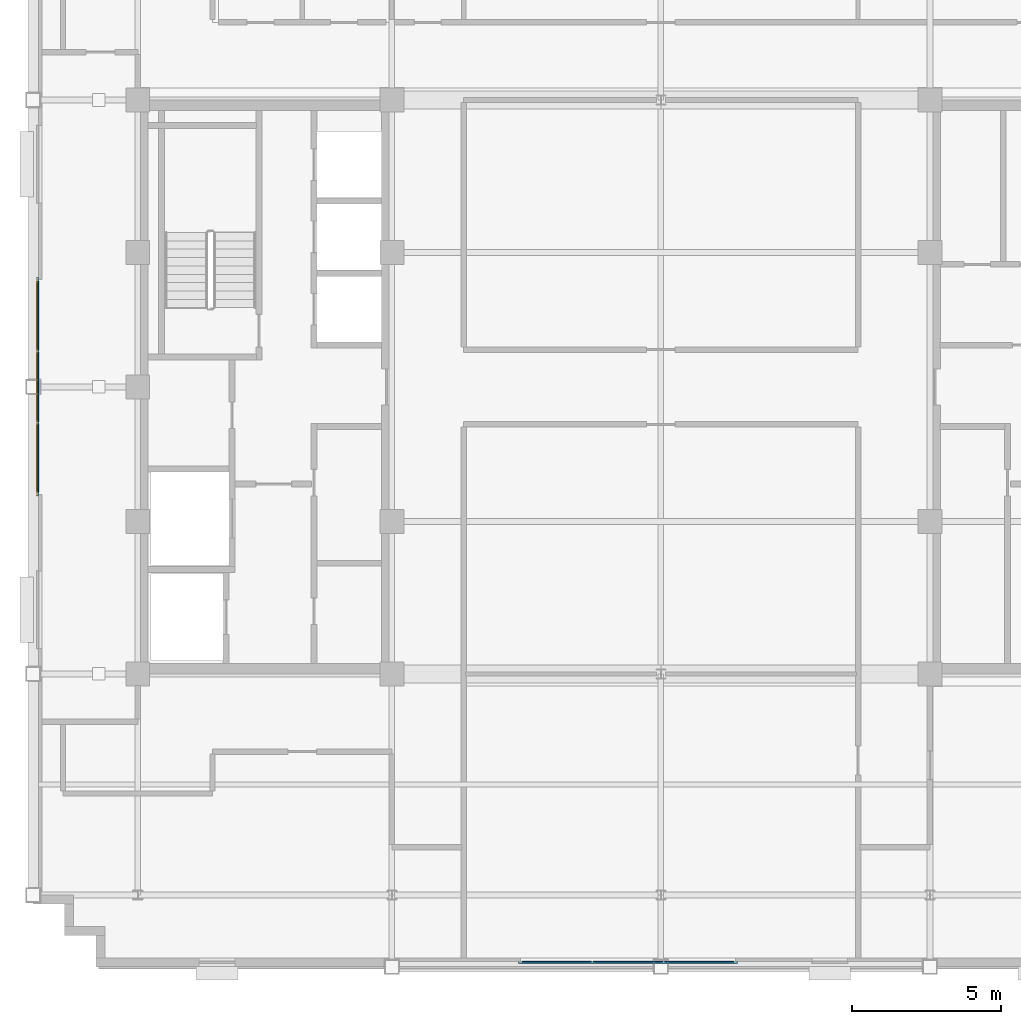
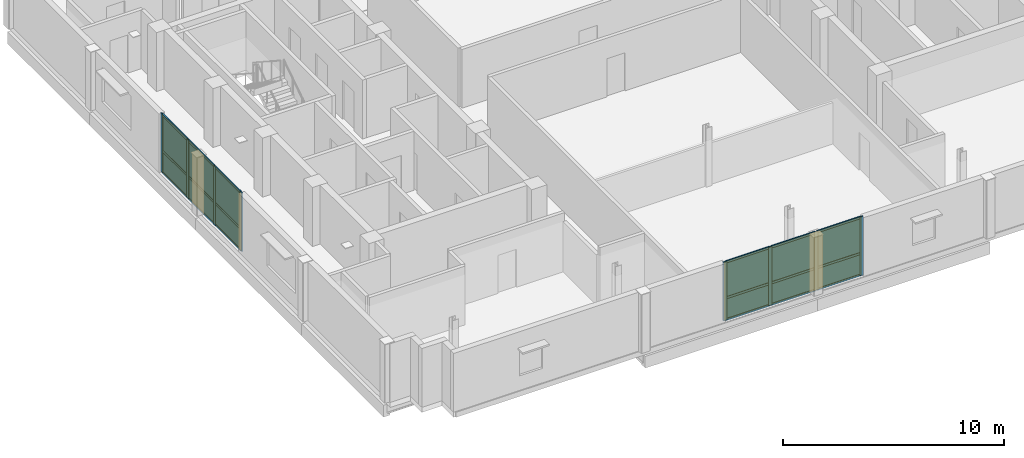
# One storey, part 9 of 15: 26 members, 12 plates, 2 curtain walls.
"""IFC4 building model written with IfcOpenShell, lengths in metres."""

from ifc_helpers import new_model, si_unit, direction, frame, frame_2d, origin, origin_2d, place, context, subcontext, project, spatial, rectangle, extrude, source, transform, mapped, material, layer, layer_set, material_profile, profile_set, type_object, type_shapes, element, aggregate, save


model = new_model("IFC4")

# Units and contexts
model_context = context("Model", 3, precision=1e-05, world=origin(), true_north=direction((0.0, 1.0)))
body_context = subcontext(model_context, "Body", "Model", "MODEL_VIEW")
ifc_project = project(units=[si_unit("LENGTHUNIT", "METRE"), si_unit("AREAUNIT", "SQUARE_METRE"), si_unit("VOLUMEUNIT", "CUBIC_METRE"), si_unit("PLANEANGLEUNIT", "RADIAN"), si_unit("MASSUNIT", "GRAM", prefix="KILO")], contexts=[model_context])

# Member
ifc_material_1 = material(Name="Anodised aluminium 6063-T6", Category="aluminium")
ifc_material_profile_1 = material_profile(ifc_material_1, rectangle(XDim=0.070068359375, YDim=0.179931640625, at=origin_2d()), Name="ALU-MULL-70x180")
ifc_profile_set_1 = profile_set([ifc_material_profile_1], Name="Anodised aluminium 6063-T6")
member_type_1 = type_object("IfcMemberType", Name="CWM-5", PredefinedType="MULLION", material=ifc_profile_set_1)
site_placement = place(None, origin())
building_placement = place(site_placement, origin())
storey_placement = place(building_placement, frame((0.0, 0.0, 283.5)))
member_1_placement = place(storey_placement, frame((-4.6650390625, -19.25, 0.0), z_axis=(0.0, 0.0, 1.0), x_axis=(0.0, 1.0, 0.0)))
member_1 = element("IfcMember", 1, at=member_1_placement, type_object=member_type_1, Name="CWS-5 mullion 1", PredefinedType="MULLION", context=body_context, shape_type="SweptSolid", body=[
    extrude(rectangle(XDim=0.070068359375, YDim=0.179931640625, at=origin_2d()), origin(), (0.0, 0.0, 1.0), 3.239990234375),
])

member_2_placement = place(storey_placement, frame((-2.300048828125, -19.25, 0.0), z_axis=(0.0, 0.0, 1.0), x_axis=(0.0, 1.0, 0.0)))
member_2 = element("IfcMember", 2, at=member_2_placement, type_object=member_type_1, Name="CWS-5 mullion 2", PredefinedType="MULLION", context=body_context, shape_type="SweptSolid", body=[
    extrude(rectangle(XDim=0.070068359375, YDim=0.179931640625, at=origin_2d()), origin(), (0.0, 0.0, 1.0), 3.239990234375),
])

member_3_placement = place(storey_placement, frame((0.10009765625, -19.25, 0.0), z_axis=(0.0, 0.0, 1.0), x_axis=(0.0, 1.0, 0.0)))
member_3 = element("IfcMember", 3, at=member_3_placement, type_object=member_type_1, Name="CWS-5 mullion 3", PredefinedType="MULLION", context=body_context, shape_type="SweptSolid", body=[
    extrude(rectangle(XDim=0.070068359375, YDim=0.179931640625, at=origin_2d()), origin(), (0.0, 0.0, 1.0), 3.239990234375),
])

member_4_placement = place(storey_placement, frame((2.465087890625, -19.25, 0.0), z_axis=(0.0, 0.0, 1.0), x_axis=(0.0, 1.0, 0.0)))
member_4 = element("IfcMember", 4, at=member_4_placement, type_object=member_type_1, Name="CWS-5 mullion 4", PredefinedType="MULLION", context=body_context, shape_type="SweptSolid", body=[
    extrude(rectangle(XDim=0.070068359375, YDim=0.179931640625, at=origin_2d()), origin(), (0.0, 0.0, 1.0), 3.239990234375),
])

member_5_placement = place(storey_placement, frame((-20.85009765625, -3.56494140625, 0.0), z_axis=(0.0, 0.0, 1.0), x_axis=(-1.0, 0.0, 0.0)))
member_5 = element("IfcMember", 5, at=member_5_placement, type_object=member_type_1, Name="CWS-5 mullion 1", PredefinedType="MULLION", context=body_context, shape_type="SweptSolid", body=[
    extrude(rectangle(XDim=0.070068359375, YDim=0.179931640625, at=origin_2d()), origin(), (0.0, 0.0, 1.0), 3.239990234375),
])

member_6_placement = place(storey_placement, frame((-20.85009765625, -1.199951171875, 0.0), z_axis=(0.0, 0.0, 1.0), x_axis=(-1.0, 0.0, 0.0)))
member_6 = element("IfcMember", 6, at=member_6_placement, type_object=member_type_1, Name="CWS-5 mullion 2", PredefinedType="MULLION", context=body_context, shape_type="SweptSolid", body=[
    extrude(rectangle(XDim=0.070068359375, YDim=0.179931640625, at=origin_2d()), origin(), (0.0, 0.0, 1.0), 3.239990234375),
])

member_7_placement = place(storey_placement, frame((-20.85009765625, 1.199951171875, 0.0), z_axis=(0.0, 0.0, 1.0), x_axis=(-1.0, 0.0, 0.0)))
member_7 = element("IfcMember", 7, at=member_7_placement, type_object=member_type_1, Name="CWS-5 mullion 3", PredefinedType="MULLION", context=body_context, shape_type="SweptSolid", body=[
    extrude(rectangle(XDim=0.070068359375, YDim=0.179931640625, at=origin_2d()), origin(), (0.0, 0.0, 1.0), 3.239990234375),
])

member_8_placement = place(storey_placement, frame((-20.85009765625, 3.56494140625, 0.0), z_axis=(0.0, 0.0, 1.0), x_axis=(-1.0, 0.0, 0.0)))
member_8 = element("IfcMember", 8, at=member_8_placement, type_object=member_type_1, Name="CWS-5 mullion 4", PredefinedType="MULLION", context=body_context, shape_type="SweptSolid", body=[
    extrude(rectangle(XDim=0.070068359375, YDim=0.179931640625, at=origin_2d()), origin(), (0.0, 0.0, 1.0), 3.239990234375),
])

ifc_material_profile_2 = material_profile(ifc_material_1, rectangle(XDim=0.06005859375, YDim=0.1201171875, at=origin_2d()), Name="ALU-TRAN-60x120")
ifc_profile_set_2 = profile_set([ifc_material_profile_2], Name="Anodised aluminium 6063-T6")
member_type_2 = type_object("IfcMemberType", Name="CWT-5", PredefinedType="USERDEFINED", material=ifc_profile_set_2)
member_9_placement = place(storey_placement, frame((-4.6298828125, -19.25, 0.030029296875), z_axis=(1.0, 0.0, 0.0), x_axis=(0.0, 1.0, 0.0)))
member_9 = element("IfcMember", 9, at=member_9_placement, type_object=member_type_2, Name="CWS-5 transom 1.1", ObjectType="TRANSOM", PredefinedType="USERDEFINED", context=body_context, shape_type="SweptSolid", body=[
    extrude(rectangle(XDim=0.06005859375, YDim=0.1201171875, at=origin_2d()), origin(), (0.0, 0.0, 1.0), 2.294921875),
])

member_10_placement = place(storey_placement, frame((-4.6298828125, -19.25, 1.231201171875), z_axis=(1.0, 0.0, 0.0), x_axis=(0.0, 1.0, 0.0)))
member_10 = element("IfcMember", 10, at=member_10_placement, type_object=member_type_2, Name="CWS-5 transom 1.2", ObjectType="TRANSOM", PredefinedType="USERDEFINED", context=body_context, shape_type="SweptSolid", body=[
    extrude(rectangle(XDim=0.06005859375, YDim=0.1201171875, at=origin_2d()), origin(), (0.0, 0.0, 1.0), 2.294921875),
])

member_11_placement = place(storey_placement, frame((-4.6298828125, -19.25, 3.2099609375), z_axis=(1.0, 0.0, 0.0), x_axis=(0.0, 1.0, 0.0)))
member_11 = element("IfcMember", 11, at=member_11_placement, type_object=member_type_2, Name="CWS-5 transom 1.3", ObjectType="TRANSOM", PredefinedType="USERDEFINED", context=body_context, shape_type="SweptSolid", body=[
    extrude(rectangle(XDim=0.06005859375, YDim=0.1201171875, at=origin_2d()), origin(), (0.0, 0.0, 1.0), 2.294921875),
])

member_12_placement = place(storey_placement, frame((-2.264892578125, -19.25, 0.030029296875), z_axis=(1.0, 0.0, 0.0), x_axis=(0.0, 1.0, 0.0)))
member_12 = element("IfcMember", 12, at=member_12_placement, type_object=member_type_2, Name="CWS-5 transom 2.1", ObjectType="TRANSOM", PredefinedType="USERDEFINED", context=body_context, shape_type="SweptSolid", body=[
    extrude(rectangle(XDim=0.06005859375, YDim=0.1201171875, at=origin_2d()), origin(), (0.0, 0.0, 1.0), 2.329833984375),
])

member_13_placement = place(storey_placement, frame((-2.264892578125, -19.25, 1.231201171875), z_axis=(1.0, 0.0, 0.0), x_axis=(0.0, 1.0, 0.0)))
member_13 = element("IfcMember", 13, at=member_13_placement, type_object=member_type_2, Name="CWS-5 transom 2.2", ObjectType="TRANSOM", PredefinedType="USERDEFINED", context=body_context, shape_type="SweptSolid", body=[
    extrude(rectangle(XDim=0.06005859375, YDim=0.1201171875, at=origin_2d()), origin(), (0.0, 0.0, 1.0), 2.329833984375),
])

member_14_placement = place(storey_placement, frame((-2.264892578125, -19.25, 3.2099609375), z_axis=(1.0, 0.0, 0.0), x_axis=(0.0, 1.0, 0.0)))
member_14 = element("IfcMember", 14, at=member_14_placement, type_object=member_type_2, Name="CWS-5 transom 2.3", ObjectType="TRANSOM", PredefinedType="USERDEFINED", context=body_context, shape_type="SweptSolid", body=[
    extrude(rectangle(XDim=0.06005859375, YDim=0.1201171875, at=origin_2d()), origin(), (0.0, 0.0, 1.0), 2.329833984375),
])

member_15_placement = place(storey_placement, frame((0.135009765625, -19.25, 0.030029296875), z_axis=(1.0, 0.0, 0.0), x_axis=(0.0, 1.0, 0.0)))
member_15 = element("IfcMember", 15, at=member_15_placement, type_object=member_type_2, Name="CWS-5 transom 3.1", ObjectType="TRANSOM", PredefinedType="USERDEFINED", context=body_context, shape_type="SweptSolid", body=[
    extrude(rectangle(XDim=0.06005859375, YDim=0.1201171875, at=origin_2d()), origin(), (0.0, 0.0, 1.0), 2.294921875),
])

member_16_placement = place(storey_placement, frame((0.135009765625, -19.25, 1.231201171875), z_axis=(1.0, 0.0, 0.0), x_axis=(0.0, 1.0, 0.0)))
member_16 = element("IfcMember", 16, at=member_16_placement, type_object=member_type_2, Name="CWS-5 transom 3.2", ObjectType="TRANSOM", PredefinedType="USERDEFINED", context=body_context, shape_type="SweptSolid", body=[
    extrude(rectangle(XDim=0.06005859375, YDim=0.1201171875, at=origin_2d()), origin(), (0.0, 0.0, 1.0), 2.294921875),
])

member_17_placement = place(storey_placement, frame((0.135009765625, -19.25, 3.2099609375), z_axis=(1.0, 0.0, 0.0), x_axis=(0.0, 1.0, 0.0)))
member_17 = element("IfcMember", 17, at=member_17_placement, type_object=member_type_2, Name="CWS-5 transom 3.3", ObjectType="TRANSOM", PredefinedType="USERDEFINED", context=body_context, shape_type="SweptSolid", body=[
    extrude(rectangle(XDim=0.06005859375, YDim=0.1201171875, at=origin_2d()), origin(), (0.0, 0.0, 1.0), 2.294921875),
])

member_18_placement = place(storey_placement, frame((-20.85009765625, -3.530029296875, 0.030029296875), z_axis=(0.0, 1.0, 0.0), x_axis=(-1.0, 0.0, 0.0)))
member_18 = element("IfcMember", 18, at=member_18_placement, type_object=member_type_2, Name="CWS-5 transom 1.1", ObjectType="TRANSOM", PredefinedType="USERDEFINED", context=body_context, shape_type="SweptSolid", body=[
    extrude(rectangle(XDim=0.06005859375, YDim=0.1201171875, at=origin_2d()), origin(), (0.0, 0.0, 1.0), 2.294921875),
])

member_19_placement = place(storey_placement, frame((-20.85009765625, -3.530029296875, 1.231201171875), z_axis=(0.0, 1.0, 0.0), x_axis=(-1.0, 0.0, 0.0)))
member_19 = element("IfcMember", 19, at=member_19_placement, type_object=member_type_2, Name="CWS-5 transom 1.2", ObjectType="TRANSOM", PredefinedType="USERDEFINED", context=body_context, shape_type="SweptSolid", body=[
    extrude(rectangle(XDim=0.06005859375, YDim=0.1201171875, at=origin_2d()), origin(), (0.0, 0.0, 1.0), 2.294921875),
])

member_20_placement = place(storey_placement, frame((-20.85009765625, -3.530029296875, 3.2099609375), z_axis=(0.0, 1.0, 0.0), x_axis=(-1.0, 0.0, 0.0)))
member_20 = element("IfcMember", 20, at=member_20_placement, type_object=member_type_2, Name="CWS-5 transom 1.3", ObjectType="TRANSOM", PredefinedType="USERDEFINED", context=body_context, shape_type="SweptSolid", body=[
    extrude(rectangle(XDim=0.06005859375, YDim=0.1201171875, at=origin_2d()), origin(), (0.0, 0.0, 1.0), 2.294921875),
])

member_21_placement = place(storey_placement, frame((-20.85009765625, -1.1650390625, 0.030029296875), z_axis=(0.0, 1.0, 0.0), x_axis=(-1.0, 0.0, 0.0)))
member_21 = element("IfcMember", 21, at=member_21_placement, type_object=member_type_2, Name="CWS-5 transom 2.1", ObjectType="TRANSOM", PredefinedType="USERDEFINED", context=body_context, shape_type="SweptSolid", body=[
    extrude(rectangle(XDim=0.06005859375, YDim=0.1201171875, at=origin_2d()), origin(), (0.0, 0.0, 1.0), 2.330078125),
])

member_22_placement = place(storey_placement, frame((-20.85009765625, -1.1650390625, 1.231201171875), z_axis=(0.0, 1.0, 0.0), x_axis=(-1.0, 0.0, 0.0)))
member_22 = element("IfcMember", 22, at=member_22_placement, type_object=member_type_2, Name="CWS-5 transom 2.2", ObjectType="TRANSOM", PredefinedType="USERDEFINED", context=body_context, shape_type="SweptSolid", body=[
    extrude(rectangle(XDim=0.06005859375, YDim=0.1201171875, at=origin_2d()), origin(), (0.0, 0.0, 1.0), 2.330078125),
])

member_23_placement = place(storey_placement, frame((-20.85009765625, -1.1650390625, 3.2099609375), z_axis=(0.0, 1.0, 0.0), x_axis=(-1.0, 0.0, 0.0)))
member_23 = element("IfcMember", 23, at=member_23_placement, type_object=member_type_2, Name="CWS-5 transom 2.3", ObjectType="TRANSOM", PredefinedType="USERDEFINED", context=body_context, shape_type="SweptSolid", body=[
    extrude(rectangle(XDim=0.06005859375, YDim=0.1201171875, at=origin_2d()), origin(), (0.0, 0.0, 1.0), 2.330078125),
])

member_24_placement = place(storey_placement, frame((-20.85009765625, 1.235107421875, 0.030029296875), z_axis=(0.0, 1.0, 0.0), x_axis=(-1.0, 0.0, 0.0)))
member_24 = element("IfcMember", 24, at=member_24_placement, type_object=member_type_2, Name="CWS-5 transom 3.1", ObjectType="TRANSOM", PredefinedType="USERDEFINED", context=body_context, shape_type="SweptSolid", body=[
    extrude(rectangle(XDim=0.06005859375, YDim=0.1201171875, at=origin_2d()), origin(), (0.0, 0.0, 1.0), 2.294921875),
])

member_25_placement = place(storey_placement, frame((-20.85009765625, 1.235107421875, 1.231201171875), z_axis=(0.0, 1.0, 0.0), x_axis=(-1.0, 0.0, 0.0)))
member_25 = element("IfcMember", 25, at=member_25_placement, type_object=member_type_2, Name="CWS-5 transom 3.2", ObjectType="TRANSOM", PredefinedType="USERDEFINED", context=body_context, shape_type="SweptSolid", body=[
    extrude(rectangle(XDim=0.06005859375, YDim=0.1201171875, at=origin_2d()), origin(), (0.0, 0.0, 1.0), 2.294921875),
])

member_26_placement = place(storey_placement, frame((-20.85009765625, 1.235107421875, 3.2099609375), z_axis=(0.0, 1.0, 0.0), x_axis=(-1.0, 0.0, 0.0)))
member_26 = element("IfcMember", 26, at=member_26_placement, type_object=member_type_2, Name="CWS-5 transom 3.3", ObjectType="TRANSOM", PredefinedType="USERDEFINED", context=body_context, shape_type="SweptSolid", body=[
    extrude(rectangle(XDim=0.06005859375, YDim=0.1201171875, at=origin_2d()), origin(), (0.0, 0.0, 1.0), 2.294921875),
])

# Plate
ifc_material_2 = material(Name="Insulated solar-control glass", Category="glass")
ifc_layer_1 = layer(ifc_material_2, 0.033935546875, Name="CWP-5")
ifc_layer_set_1 = layer_set([ifc_layer_1], Name="Insulated solar-control glass")
plate_type = type_object("IfcPlateType", Name="CWP-5", PredefinedType="CURTAIN_PANEL", material=ifc_layer_set_1)
shared_shape_1 = source(origin(), body_context, "Body", "SweptSolid", [
    extrude(rectangle(XDim=2.294921875, YDim=0.033935546875, at=origin_2d()), origin(), (0.0, 0.0, 1.0), 1.14111328125),
])
plate_1_placement = place(storey_placement, frame((-3.482421875, -19.25, 0.06005859375), z_axis=(0.0, 0.0, 1.0), x_axis=(1.0, 0.0, 0.0)))
plate_1 = element("IfcPlate", 27, at=plate_1_placement, type_object=plate_type, Name="CWS-5 panel 1.1", PredefinedType="CURTAIN_PANEL", context=body_context, shape_type="MappedRepresentation", body=[
    mapped(shared_shape_1, transform((0.0, 0.0, 0.0), scale=1.0)),
])

plate_2_placement = place(storey_placement, frame((1.282470703125, -19.25, 0.06005859375), z_axis=(0.0, 0.0, 1.0), x_axis=(1.0, 0.0, 0.0)))
plate_2 = element("IfcPlate", 28, at=plate_2_placement, type_object=plate_type, Name="CWS-5 panel 3.1", PredefinedType="CURTAIN_PANEL", context=body_context, shape_type="MappedRepresentation", body=[
    mapped(shared_shape_1, transform((0.0, 0.0, 0.0), scale=1.0)),
])

plate_3_placement = place(storey_placement, frame((-20.85009765625, -2.382568359375, 0.06005859375), z_axis=(0.0, 0.0, 1.0), x_axis=(0.0, 1.0, 0.0)))
plate_3 = element("IfcPlate", 29, at=plate_3_placement, type_object=plate_type, Name="CWS-5 panel 1.1", PredefinedType="CURTAIN_PANEL", context=body_context, shape_type="MappedRepresentation", body=[
    mapped(shared_shape_1, transform((0.0, 0.0, 0.0), scale=1.0)),
])

plate_4_placement = place(storey_placement, frame((-20.85009765625, 2.382568359375, 0.06005859375), z_axis=(0.0, 0.0, 1.0), x_axis=(0.0, 1.0, 0.0)))
plate_4 = element("IfcPlate", 30, at=plate_4_placement, type_object=plate_type, Name="CWS-5 panel 3.1", PredefinedType="CURTAIN_PANEL", context=body_context, shape_type="MappedRepresentation", body=[
    mapped(shared_shape_1, transform((0.0, 0.0, 0.0), scale=1.0)),
])

shared_shape_2 = source(origin(), body_context, "Body", "SweptSolid", [
    extrude(rectangle(XDim=2.294921875, YDim=0.033935546875, at=origin_2d()), origin(), (0.0, 0.0, 1.0), 1.918701171875),
])
plate_5_placement = place(storey_placement, frame((-3.482421875, -19.25, 1.26123046875), z_axis=(0.0, 0.0, 1.0), x_axis=(1.0, 0.0, 0.0)))
plate_5 = element("IfcPlate", 31, at=plate_5_placement, type_object=plate_type, Name="CWS-5 panel 1.2", PredefinedType="CURTAIN_PANEL", context=body_context, shape_type="MappedRepresentation", body=[
    mapped(shared_shape_2, transform((0.0, 0.0, 0.0), scale=1.0)),
])

plate_6_placement = place(storey_placement, frame((1.282470703125, -19.25, 1.26123046875), z_axis=(0.0, 0.0, 1.0), x_axis=(1.0, 0.0, 0.0)))
plate_6 = element("IfcPlate", 32, at=plate_6_placement, type_object=plate_type, Name="CWS-5 panel 3.2", PredefinedType="CURTAIN_PANEL", context=body_context, shape_type="MappedRepresentation", body=[
    mapped(shared_shape_2, transform((0.0, 0.0, 0.0), scale=1.0)),
])

plate_7_placement = place(storey_placement, frame((-20.85009765625, -2.382568359375, 1.26123046875), z_axis=(0.0, 0.0, 1.0), x_axis=(0.0, 1.0, 0.0)))
plate_7 = element("IfcPlate", 33, at=plate_7_placement, type_object=plate_type, Name="CWS-5 panel 1.2", PredefinedType="CURTAIN_PANEL", context=body_context, shape_type="MappedRepresentation", body=[
    mapped(shared_shape_2, transform((0.0, 0.0, 0.0), scale=1.0)),
])

plate_8_placement = place(storey_placement, frame((-20.85009765625, 2.382568359375, 1.26123046875), z_axis=(0.0, 0.0, 1.0), x_axis=(0.0, 1.0, 0.0)))
plate_8 = element("IfcPlate", 34, at=plate_8_placement, type_object=plate_type, Name="CWS-5 panel 3.2", PredefinedType="CURTAIN_PANEL", context=body_context, shape_type="MappedRepresentation", body=[
    mapped(shared_shape_2, transform((0.0, 0.0, 0.0), scale=1.0)),
])

shared_shape_3 = source(origin(), body_context, "Body", "SweptSolid", [
    extrude(rectangle(XDim=2.330078125, YDim=0.033935546875, at=origin_2d()), origin(), (0.0, 0.0, 1.0), 1.14111328125),
])
plate_9_placement = place(storey_placement, frame((-1.10009765625, -19.25, 0.06005859375), z_axis=(0.0, 0.0, 1.0), x_axis=(1.0, 0.0, 0.0)))
plate_9 = element("IfcPlate", 35, at=plate_9_placement, type_object=plate_type, Name="CWS-5 panel 2.1", PredefinedType="CURTAIN_PANEL", context=body_context, shape_type="MappedRepresentation", body=[
    mapped(shared_shape_3, transform((0.0, 0.0, 0.0), scale=1.0)),
])

plate_10_placement = place(storey_placement, frame((-20.85009765625, 0.0, 0.06005859375), z_axis=(0.0, 0.0, 1.0), x_axis=(0.0, 1.0, 0.0)))
plate_10 = element("IfcPlate", 36, at=plate_10_placement, type_object=plate_type, Name="CWS-5 panel 2.1", PredefinedType="CURTAIN_PANEL", context=body_context, shape_type="MappedRepresentation", body=[
    mapped(shared_shape_3, transform((0.0, 0.0, 0.0), scale=1.0)),
])

shared_shape_4 = source(origin(), body_context, "Body", "SweptSolid", [
    extrude(rectangle(XDim=2.330078125, YDim=0.033935546875, at=origin_2d()), origin(), (0.0, 0.0, 1.0), 1.918701171875),
])
type_shapes(plate_type, [shared_shape_1, shared_shape_2, shared_shape_3, shared_shape_4])
plate_11_placement = place(storey_placement, frame((-1.10009765625, -19.25, 1.26123046875), z_axis=(0.0, 0.0, 1.0), x_axis=(1.0, 0.0, 0.0)))
plate_11 = element("IfcPlate", 37, at=plate_11_placement, type_object=plate_type, Name="CWS-5 panel 2.2", PredefinedType="CURTAIN_PANEL", context=body_context, shape_type="MappedRepresentation", body=[
    mapped(shared_shape_4, transform((0.0, 0.0, 0.0), scale=1.0)),
])

plate_12_placement = place(storey_placement, frame((-20.85009765625, 0.0, 1.26123046875), z_axis=(0.0, 0.0, 1.0), x_axis=(0.0, 1.0, 0.0)))
plate_12 = element("IfcPlate", 38, at=plate_12_placement, type_object=plate_type, Name="CWS-5 panel 2.2", PredefinedType="CURTAIN_PANEL", context=body_context, shape_type="MappedRepresentation", body=[
    mapped(shared_shape_4, transform((0.0, 0.0, 0.0), scale=1.0)),
])

# Site, building, storey
site = spatial("IfcSite", under=ifc_project, at=site_placement, CompositionType="ELEMENT")
building = spatial("IfcBuilding", under=site, at=building_placement, Name="Nuvemarco Arch Tower", CompositionType="ELEMENT")
storey = spatial("IfcBuildingStorey", under=building, at=storey_placement, Name="L75", CompositionType="ELEMENT", Elevation=283.5)

# Curtain wall
ifc_layer_2 = layer(ifc_material_2, 0.179931640625, Name="CW-SYS-5")
ifc_layer_set_2 = layer_set([ifc_layer_2], Name="Insulated solar-control glass")
curtain_wall_type = type_object("IfcCurtainWallType", Name="CW-SYS-5", PredefinedType="NOTDEFINED", material=ifc_layer_set_2)
curtain_wall_1_placement = place(storey_placement, frame((-4.699951171875, -19.25, 0.0), z_axis=(0.0, 0.0, 1.0), x_axis=(1.0, 0.0, 0.0)))
curtain_wall_1 = element("IfcCurtainWall", 39, at=curtain_wall_1_placement, inside=storey, type_object=curtain_wall_type, Name="L75 curtain wall CWS-5", PredefinedType="NOTDEFINED", context=body_context, shape_type="SweptSolid", body=[
    extrude(rectangle(XDim=7.199951171875, YDim=0.02001953125, at=frame_2d((3.60009765625, 0.0))), origin(), (0.0, 0.0, 1.0), 3.239990234375),
])

aggregate(curtain_wall_1, [member_1, member_2, member_3, member_4, member_9, member_10, member_11, plate_1, plate_5, member_12, member_13, member_14, plate_9, plate_11, member_15, member_16, member_17, plate_2, plate_6])

curtain_wall_2_placement = place(storey_placement, frame((-20.85009765625, -3.60009765625, 0.0), z_axis=(0.0, 0.0, 1.0), x_axis=(0.0, 1.0, 0.0)))
curtain_wall_2 = element("IfcCurtainWall", 40, at=curtain_wall_2_placement, inside=storey, type_object=curtain_wall_type, Name="L75 curtain wall CWS-5", PredefinedType="NOTDEFINED", context=body_context, shape_type="SweptSolid", body=[
    extrude(rectangle(XDim=7.2001953125, YDim=0.02001953125, at=frame_2d((3.60009765625, 0.0))), origin(), (0.0, 0.0, 1.0), 3.239990234375),
])

aggregate(curtain_wall_2, [member_5, member_6, member_7, member_8, member_18, member_19, member_20, plate_3, plate_7, member_21, member_22, member_23, plate_10, plate_12, member_24, member_25, member_26, plate_4, plate_8])

save(model, "model.ifc")
